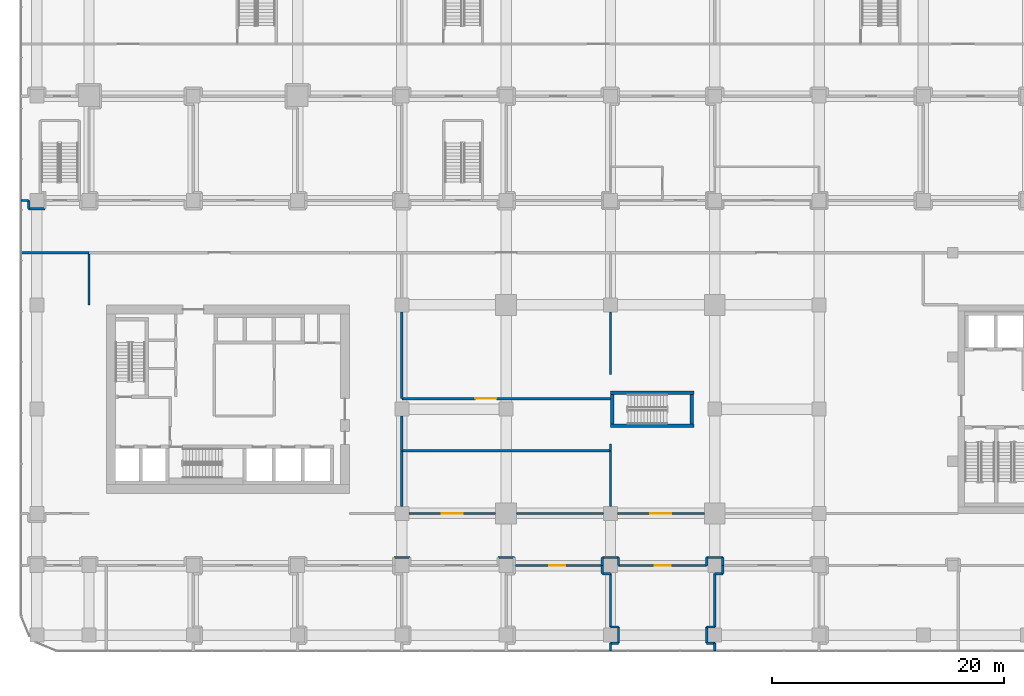
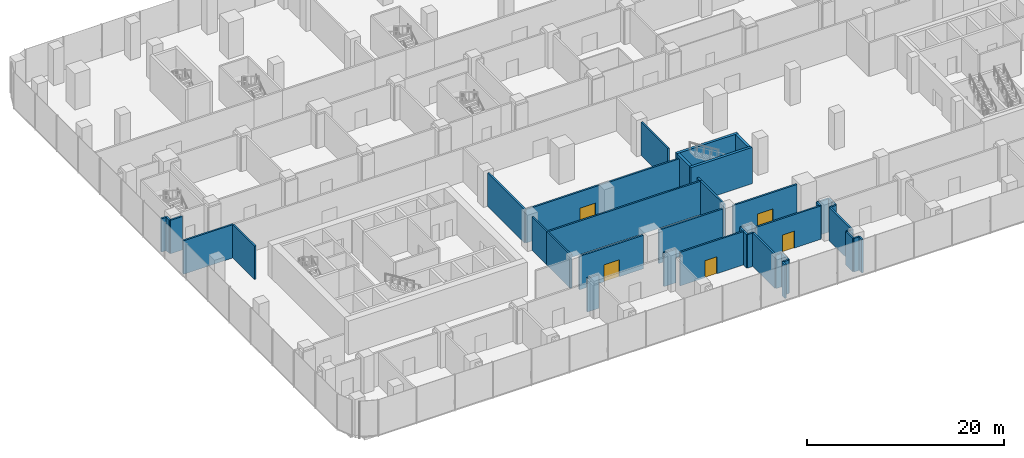
# One storey, part 30 of 43: 44 walls, 5 doors, 5 openings.
"""IFC4 building model written with IfcOpenShell, lengths in metres."""

from ifc_helpers import new_model, si_unit, direction, frame, frame_2d, origin, place, context, subcontext, project, spatial, rectangle, extrude, material, layer, layer_set, type_object, element, fill, save


model = new_model("IFC4")

# Units and contexts
model_context = context("Model", 3, precision=1e-05, world=origin(), true_north=direction((0.0, 1.0)))
body_context = subcontext(model_context, "Body", "Model", "MODEL_VIEW")
ifc_project = project(units=[si_unit("LENGTHUNIT", "METRE"), si_unit("AREAUNIT", "SQUARE_METRE"), si_unit("VOLUMEUNIT", "CUBIC_METRE"), si_unit("PLANEANGLEUNIT", "RADIAN"), si_unit("MASSUNIT", "GRAM", prefix="KILO")], contexts=[model_context])

# Site, building, storey
site_placement = place(None, origin())
site = spatial("IfcSite", under=ifc_project, at=site_placement, CompositionType="ELEMENT")
building_placement = place(site_placement, origin())
building = spatial("IfcBuilding", under=site, at=building_placement, Name="Plateau Cross Towers", CompositionType="ELEMENT")
storey_placement = place(building_placement, frame((0.0, 0.0, 17.300048828125)))
storey = spatial("IfcBuildingStorey", under=building, at=storey_placement, Name="L03", CompositionType="ELEMENT", Elevation=17.300048828125)

# Wall, opening, door
ifc_material_1 = material(Name="Gypsum board on steel studs", Category="steel")
ifc_layer_1 = layer(ifc_material_1, 0.199951171875)
ifc_layer_set_1 = layer_set([ifc_layer_1], Name="Gypsum board on steel studs")
wall_type_1 = type_object("IfcWallType", Name="Podium partition 200", PredefinedType="PARTITIONING", material=ifc_layer_set_1)
wall_1_placement = place(storey_placement, frame((45.60009765625, 0.0, 0.0), z_axis=(0.0, 0.0, 1.0), x_axis=(1.0, 0.0, 0.0)))
wall_1 = element("IfcWall", 1, at=wall_1_placement, inside=storey, type_object=wall_type_1, Name="Partition wall", PredefinedType="PARTITIONING", context=body_context, shape_type="SweptSolid", body=[
    extrude(rectangle(XDim=7.5, YDim=0.199951171875, at=frame_2d((3.75, 0.0))), origin(), (0.0, 0.0, 1.0), 4.14990234375),
])
opening_1_placement = place(wall_1_placement, frame((2.85009765625, 0.0, 0.0)))
opening_1 = element("IfcOpeningElement", 2, at=opening_1_placement, cuts=wall_1, Name="Opening 03-33", PredefinedType="OPENING", context=body_context, shape_type="SweptSolid", body=[
    extrude(rectangle(XDim=1.800048828125, YDim=2.10009765625, at=frame_2d((0.89990234375, 1.050048828125))), frame((0.0, 0.10986328125, 0.0), z_axis=(0.0, -1.0, 0.0), x_axis=(1.0, 0.0, 0.0)), (0.0, 0.0, 1.0), 0.219970703125),
])
ifc_material_2 = material(Name="Aluminium frame, toughened glass", Category="aluminium")
door_type_1 = type_object("IfcDoorType", Name="Podium door pair 1800", OperationType="NOTDEFINED", PredefinedType="DOOR", material=ifc_material_2)
door_1_placement = place(opening_1_placement, origin())
door_1 = element("IfcDoor", 3, at=door_1_placement, inside=storey, type_object=door_type_1, Name="Door 03-33", OperationType="DOUBLE_DOOR_SINGLE_SWING", OverallHeight=2.10009765625, OverallWidth=1.800048828125, PredefinedType="DOOR", context=body_context, shape_type="SweptSolid", body=[
    extrude(rectangle(XDim=1.800048828125, YDim=2.10009765625, at=frame_2d((0.89990234375, 1.050048828125))), frame((0.0, 0.02490234375, 0.0), z_axis=(0.0, -1.0, 0.0), x_axis=(1.0, 0.0, 0.0)), (0.0, 0.0, 1.0), 0.050048828125),
])
fill(opening_1, door_1)

wall_2_placement = place(storey_placement, frame((27.60009765625, 0.0, 0.0), z_axis=(0.0, 0.0, 1.0), x_axis=(1.0, 0.0, 0.0)))
wall_2 = element("IfcWall", 4, at=wall_2_placement, inside=storey, type_object=wall_type_1, Name="Partition wall", PredefinedType="PARTITIONING", context=body_context, shape_type="SweptSolid", body=[
    extrude(rectangle(XDim=7.5, YDim=0.199951171875, at=frame_2d((3.75, 0.0))), origin(), (0.0, 0.0, 1.0), 4.14990234375),
])
opening_2_placement = place(wall_2_placement, frame((2.85009765625, 0.0, 0.0)))
opening_2 = element("IfcOpeningElement", 5, at=opening_2_placement, cuts=wall_2, Name="Opening 03-43", PredefinedType="OPENING", context=body_context, shape_type="SweptSolid", body=[
    extrude(rectangle(XDim=1.800048828125, YDim=2.10009765625, at=frame_2d((0.89990234375, 1.050048828125))), frame((0.0, 0.10986328125, 0.0), z_axis=(0.0, -1.0, 0.0), x_axis=(1.0, 0.0, 0.0)), (0.0, 0.0, 1.0), 0.219970703125),
])
door_2_placement = place(opening_2_placement, origin())
door_2 = element("IfcDoor", 6, at=door_2_placement, inside=storey, type_object=door_type_1, Name="Door 03-43", OperationType="DOUBLE_DOOR_SINGLE_SWING", OverallHeight=2.10009765625, OverallWidth=1.800048828125, PredefinedType="DOOR", context=body_context, shape_type="SweptSolid", body=[
    extrude(rectangle(XDim=1.800048828125, YDim=2.10009765625, at=frame_2d((0.89990234375, 1.050048828125))), frame((0.0, 0.02490234375, 0.0), z_axis=(0.0, -1.0, 0.0), x_axis=(1.0, 0.0, 0.0)), (0.0, 0.0, 1.0), 0.050048828125),
])
fill(opening_2, door_2)

# Wall
wall_3_placement = place(storey_placement, frame((36.89990234375, 0.0, 0.0), z_axis=(0.0, 0.0, 1.0), x_axis=(1.0, 0.0, 0.0)))
element("IfcWall", 7, at=wall_3_placement, inside=storey, type_object=wall_type_1, Name="Partition wall", PredefinedType="PARTITIONING", context=body_context, shape_type="SweptSolid", body=[
    extrude(rectangle(XDim=7.5, YDim=0.199951171875, at=frame_2d((3.75, 0.0))), origin(), (0.0, 0.0, 1.0), 4.14990234375),
])

# Wall, opening, door
wall_4_placement = place(storey_placement, frame((27.0, 9.89990234375, 0.0), z_axis=(0.0, 0.0, 1.0), x_axis=(1.0, 0.0, 0.0)))
wall_4 = element("IfcWall", 8, at=wall_4_placement, inside=storey, type_object=wall_type_1, Name="Partition wall", PredefinedType="PARTITIONING", context=body_context, shape_type="SweptSolid", body=[
    extrude(rectangle(XDim=18.0, YDim=0.199951171875, at=frame_2d((9.0, 0.0))), origin(), (0.0, 0.0, 1.0), 4.14990234375),
])
opening_3_placement = place(wall_4_placement, frame((6.35009765625, 0.0, 0.0)))
opening_3 = element("IfcOpeningElement", 9, at=opening_3_placement, cuts=wall_4, Name="Opening 03-44", PredefinedType="OPENING", context=body_context, shape_type="SweptSolid", body=[
    extrude(rectangle(XDim=1.800048828125, YDim=2.10009765625, at=frame_2d((0.89990234375, 1.050048828125))), frame((0.0, 0.10986328125, 0.0), z_axis=(0.0, -1.0, 0.0), x_axis=(1.0, 0.0, 0.0)), (0.0, 0.0, 1.0), 0.219970703125),
])
door_3_placement = place(opening_3_placement, origin())
door_3 = element("IfcDoor", 10, at=door_3_placement, inside=storey, type_object=door_type_1, Name="Door 03-44", OperationType="DOUBLE_DOOR_SINGLE_SWING", OverallHeight=2.10009765625, OverallWidth=1.800048828125, PredefinedType="DOOR", context=body_context, shape_type="SweptSolid", body=[
    extrude(rectangle(XDim=1.800048828125, YDim=2.10009765625, at=frame_2d((0.89990234375, 1.050048828125))), frame((0.0, 0.02490234375, 0.0), z_axis=(0.0, -1.0, 0.0), x_axis=(1.0, 0.0, 0.0)), (0.0, 0.0, 1.0), 0.050048828125),
])
fill(opening_3, door_3)

# Walls
wall_5_placement = place(storey_placement, frame((45.0, 5.39990234375, 0.0), z_axis=(0.0, 0.0, 1.0), x_axis=(-1.0, 0.0, 0.0)))
element("IfcWall", 11, at=wall_5_placement, inside=storey, type_object=wall_type_1, Name="Partition wall", PredefinedType="PARTITIONING", context=body_context, shape_type="SweptSolid", body=[
    extrude(rectangle(XDim=18.0, YDim=0.199951171875, at=frame_2d((9.0, 0.0))), origin(), (0.0, 0.0, 1.0), 4.14990234375),
])
wall_6_placement = place(storey_placement, frame((54.699951171875, -4.5, 0.0), z_axis=(0.0, 0.0, 1.0), x_axis=(0.0, 1.0, 0.0)))
element("IfcWall", 12, at=wall_6_placement, inside=storey, type_object=wall_type_1, Name="Partition wall", PredefinedType="PARTITIONING", context=body_context, shape_type="SweptSolid", body=[
    extrude(rectangle(XDim=0.699951171875, YDim=0.199951171875, at=frame_2d((0.35009765625, 0.0))), origin(), (0.0, 0.0, 1.0), 4.14990234375),
])
wall_7_placement = place(storey_placement, frame((54.699951171875, -3.800048828125, 0.0), z_axis=(0.0, 0.0, 1.0), x_axis=(-1.0, 0.0, 0.0)))
element("IfcWall", 13, at=wall_7_placement, inside=storey, type_object=wall_type_1, Name="Partition wall", PredefinedType="PARTITIONING", context=body_context, shape_type="SweptSolid", body=[
    extrude(rectangle(XDim=1.39990234375, YDim=0.199951171875, at=frame_2d((0.699951171875, 0.0))), origin(), (0.0, 0.0, 1.0), 4.14990234375),
])
wall_8_placement = place(storey_placement, frame((53.300048828125, -3.800048828125, 0.0), z_axis=(0.0, 0.0, 1.0), x_axis=(0.0, -1.0, 0.0)))
element("IfcWall", 14, at=wall_8_placement, inside=storey, type_object=wall_type_1, Name="Partition wall", PredefinedType="PARTITIONING", context=body_context, shape_type="SweptSolid", body=[
    extrude(rectangle(XDim=0.699951171875, YDim=0.199951171875, at=frame_2d((0.35009765625, 0.0))), origin(), (0.0, 0.0, 1.0), 4.14990234375),
])

# Wall, opening, door
wall_9_placement = place(storey_placement, frame((53.300048828125, -4.5, 0.0), z_axis=(0.0, 0.0, 1.0), x_axis=(-1.0, 0.0, 0.0)))
wall_9 = element("IfcWall", 15, at=wall_9_placement, inside=storey, type_object=wall_type_1, Name="Partition wall", PredefinedType="PARTITIONING", context=body_context, shape_type="SweptSolid", body=[
    extrude(rectangle(XDim=7.60009765625, YDim=0.199951171875, at=frame_2d((3.800048828125, 0.0))), origin(), (0.0, 0.0, 1.0), 4.14990234375),
])
opening_4_placement = place(wall_9_placement, frame((3.10009765625, 0.0, 0.0)))
opening_4 = element("IfcOpeningElement", 16, at=opening_4_placement, cuts=wall_9, Name="Opening 03-13", PredefinedType="OPENING", context=body_context, shape_type="SweptSolid", body=[
    extrude(rectangle(XDim=1.39990234375, YDim=2.10009765625, at=frame_2d((0.699951171875, 1.050048828125))), frame((0.0, 0.10986328125, 0.0), z_axis=(0.0, -1.0, 0.0), x_axis=(1.0, 0.0, 0.0)), (0.0, 0.0, 1.0), 0.219970703125),
])
ifc_material_3 = material(Name="Timber, hospital grade leaf", Category="wood")
door_type_2 = type_object("IfcDoorType", Name="Clinic bed access door 1400x2100", OperationType="NOTDEFINED", PredefinedType="DOOR", material=ifc_material_3)
door_4_placement = place(opening_4_placement, origin())
door_4 = element("IfcDoor", 17, at=door_4_placement, inside=storey, type_object=door_type_2, Name="Door 03-13", OperationType="SINGLE_SWING_LEFT", OverallHeight=2.10009765625, OverallWidth=1.39990234375, PredefinedType="DOOR", context=body_context, shape_type="SweptSolid", body=[
    extrude(rectangle(XDim=1.39990234375, YDim=2.10009765625, at=frame_2d((0.699951171875, 1.050048828125))), frame((0.0, 0.02490234375, 0.0), z_axis=(0.0, -1.0, 0.0), x_axis=(1.0, 0.0, 0.0)), (0.0, 0.0, 1.0), 0.050048828125),
])
fill(opening_4, door_4)

# Walls
wall_10_placement = place(storey_placement, frame((45.699951171875, -4.5, 0.0), z_axis=(0.0, 0.0, 1.0), x_axis=(0.0, 1.0, 0.0)))
element("IfcWall", 18, at=wall_10_placement, inside=storey, type_object=wall_type_1, Name="Partition wall", PredefinedType="PARTITIONING", context=body_context, shape_type="SweptSolid", body=[
    extrude(rectangle(XDim=0.699951171875, YDim=0.199951171875, at=frame_2d((0.35009765625, 0.0))), origin(), (0.0, 0.0, 1.0), 4.14990234375),
])
wall_11_placement = place(storey_placement, frame((45.699951171875, -3.800048828125, 0.0), z_axis=(0.0, 0.0, 1.0), x_axis=(-1.0, 0.0, 0.0)))
element("IfcWall", 19, at=wall_11_placement, inside=storey, type_object=wall_type_1, Name="Partition wall", PredefinedType="PARTITIONING", context=body_context, shape_type="SweptSolid", body=[
    extrude(rectangle(XDim=1.39990234375, YDim=0.199951171875, at=frame_2d((0.699951171875, 0.0))), origin(), (0.0, 0.0, 1.0), 4.14990234375),
])
wall_12_placement = place(storey_placement, frame((44.300048828125, -3.800048828125, 0.0), z_axis=(0.0, 0.0, 1.0), x_axis=(0.0, -1.0, 0.0)))
element("IfcWall", 20, at=wall_12_placement, inside=storey, type_object=wall_type_1, Name="Partition wall", PredefinedType="PARTITIONING", context=body_context, shape_type="SweptSolid", body=[
    extrude(rectangle(XDim=0.699951171875, YDim=0.199951171875, at=frame_2d((0.35009765625, 0.0))), origin(), (0.0, 0.0, 1.0), 4.14990234375),
])
for number, where, z_axis, x_axis, name in (
    (21, (36.699951171875, -3.800048828125, 0.0), (0.0, 0.0, 1.0), (-1.0, 0.0, 0.0), "Partition wall"),
    (22, (27.699951171875, -3.800048828125, 0.0), (0.0, 0.0, 1.0), (-1.0, 0.0, 0.0), "Partition wall"),
):
    element("IfcWall", number, at=place(storey_placement, frame(where, z_axis=z_axis, x_axis=x_axis)), inside=storey, type_object=wall_type_1, Name=name, PredefinedType="PARTITIONING", context=body_context, shape_type="SweptSolid", body=[
        extrude(rectangle(XDim=1.39990234375, YDim=0.199951171875, at=frame_2d((0.699951171875, 0.0))), origin(), (0.0, 0.0, 1.0), 4.14990234375),
    ])
wall_13_placement = place(storey_placement, frame((27.0, 17.39990234375, 0.0), z_axis=(0.0, 0.0, 1.0), x_axis=(0.0, -1.0, 0.0)))
element("IfcWall", 23, at=wall_13_placement, inside=storey, type_object=wall_type_1, Name="Partition wall", PredefinedType="PARTITIONING", context=body_context, shape_type="SweptSolid", body=[
    extrude(rectangle(XDim=7.5, YDim=0.199951171875, at=frame_2d((3.75, 0.0))), origin(), (0.0, 0.0, 1.0), 4.14990234375),
])
wall_14_placement = place(storey_placement, frame((45.0, 17.39990234375, 0.0), z_axis=(0.0, 0.0, 1.0), x_axis=(0.0, -1.0, 0.0)))
element("IfcWall", 24, at=wall_14_placement, inside=storey, type_object=wall_type_1, Name="Partition wall", PredefinedType="PARTITIONING", context=body_context, shape_type="SweptSolid", body=[
    extrude(rectangle(XDim=5.39990234375, YDim=0.199951171875, at=frame_2d((2.699951171875, 0.0))), origin(), (0.0, 0.0, 1.0), 4.14990234375),
])
for number, where, z_axis, x_axis, name in (
    (25, (44.300048828125, -4.5, 0.0), (0.0, 0.0, 1.0), (0.0, -1.0, 0.0), "Partition wall"),
    (26, (44.300048828125, -5.199951171875, 0.0), (0.0, 0.0, 1.0), (1.0, 0.0, 0.0), "Partition wall"),
):
    element("IfcWall", number, at=place(storey_placement, frame(where, z_axis=z_axis, x_axis=x_axis)), inside=storey, type_object=wall_type_1, Name=name, PredefinedType="PARTITIONING", context=body_context, shape_type="SweptSolid", body=[
        extrude(rectangle(XDim=0.699951171875, YDim=0.199951171875, at=frame_2d((0.35009765625, 0.0))), origin(), (0.0, 0.0, 1.0), 4.14990234375),
    ])
wall_15_placement = place(storey_placement, frame((45.0, -5.199951171875, 0.0), z_axis=(0.0, 0.0, 1.0), x_axis=(0.0, -1.0, 0.0)))
element("IfcWall", 27, at=wall_15_placement, inside=storey, type_object=wall_type_1, Name="Partition wall", PredefinedType="PARTITIONING", context=body_context, shape_type="SweptSolid", body=[
    extrude(rectangle(XDim=4.60009765625, YDim=0.199951171875, at=frame_2d((2.300048828125, 0.0))), origin(), (0.0, 0.0, 1.0), 4.14990234375),
])
wall_16_placement = place(storey_placement, frame((45.0, -9.800048828125, 0.0), z_axis=(0.0, 0.0, 1.0), x_axis=(1.0, 0.0, 0.0)))
element("IfcWall", 28, at=wall_16_placement, inside=storey, type_object=wall_type_1, Name="Partition wall", PredefinedType="PARTITIONING", context=body_context, shape_type="SweptSolid", body=[
    extrude(rectangle(XDim=0.699951171875, YDim=0.199951171875, at=frame_2d((0.35009765625, 0.0))), origin(), (0.0, 0.0, 1.0), 4.14990234375),
])
wall_17_placement = place(storey_placement, frame((45.699951171875, -9.800048828125, 0.0), z_axis=(0.0, 0.0, 1.0), x_axis=(0.0, -1.0, 0.0)))
element("IfcWall", 29, at=wall_17_placement, inside=storey, type_object=wall_type_1, Name="Partition wall", PredefinedType="PARTITIONING", context=body_context, shape_type="SweptSolid", body=[
    extrude(rectangle(XDim=1.39990234375, YDim=0.199951171875, at=frame_2d((0.699951171875, 0.0))), origin(), (0.0, 0.0, 1.0), 4.14990234375),
])
wall_18_placement = place(storey_placement, frame((45.699951171875, -11.199951171875, 0.0), z_axis=(0.0, 0.0, 1.0), x_axis=(-1.0, 0.0, 0.0)))
element("IfcWall", 30, at=wall_18_placement, inside=storey, type_object=wall_type_1, Name="Partition wall", PredefinedType="PARTITIONING", context=body_context, shape_type="SweptSolid", body=[
    extrude(rectangle(XDim=0.699951171875, YDim=0.199951171875, at=frame_2d((0.35009765625, 0.0))), origin(), (0.0, 0.0, 1.0), 4.14990234375),
])
wall_19_placement = place(storey_placement, frame((45.0, -11.199951171875, 0.0), z_axis=(0.0, 0.0, 1.0), x_axis=(0.0, -1.0, 0.0)))
element("IfcWall", 31, at=wall_19_placement, inside=storey, type_object=wall_type_1, Name="Partition wall", PredefinedType="PARTITIONING", context=body_context, shape_type="SweptSolid", body=[
    extrude(rectangle(XDim=0.650146484375, YDim=0.199951171875, at=frame_2d((0.3251953125, 0.0))), origin(), (0.0, 0.0, 1.0), 4.14990234375),
])
for number, where, z_axis, x_axis, name in (
    (32, (54.699951171875, -4.5, 0.0), (0.0, 0.0, 1.0), (0.0, -1.0, 0.0), "Partition wall"),
    (33, (54.699951171875, -5.199951171875, 0.0), (0.0, 0.0, 1.0), (-1.0, 0.0, 0.0), "Partition wall"),
):
    element("IfcWall", number, at=place(storey_placement, frame(where, z_axis=z_axis, x_axis=x_axis)), inside=storey, type_object=wall_type_1, Name=name, PredefinedType="PARTITIONING", context=body_context, shape_type="SweptSolid", body=[
        extrude(rectangle(XDim=0.699951171875, YDim=0.199951171875, at=frame_2d((0.35009765625, 0.0))), origin(), (0.0, 0.0, 1.0), 4.14990234375),
    ])
wall_20_placement = place(storey_placement, frame((54.0, -5.199951171875, 0.0), z_axis=(0.0, 0.0, 1.0), x_axis=(0.0, -1.0, 0.0)))
element("IfcWall", 34, at=wall_20_placement, inside=storey, type_object=wall_type_1, Name="Partition wall", PredefinedType="PARTITIONING", context=body_context, shape_type="SweptSolid", body=[
    extrude(rectangle(XDim=4.60009765625, YDim=0.199951171875, at=frame_2d((2.300048828125, 0.0))), origin(), (0.0, 0.0, 1.0), 4.14990234375),
])
wall_21_placement = place(storey_placement, frame((54.0, -9.800048828125, 0.0), z_axis=(0.0, 0.0, 1.0), x_axis=(-1.0, 0.0, 0.0)))
element("IfcWall", 35, at=wall_21_placement, inside=storey, type_object=wall_type_1, Name="Partition wall", PredefinedType="PARTITIONING", context=body_context, shape_type="SweptSolid", body=[
    extrude(rectangle(XDim=0.699951171875, YDim=0.199951171875, at=frame_2d((0.35009765625, 0.0))), origin(), (0.0, 0.0, 1.0), 4.14990234375),
])
wall_22_placement = place(storey_placement, frame((53.300048828125, -9.800048828125, 0.0), z_axis=(0.0, 0.0, 1.0), x_axis=(0.0, -1.0, 0.0)))
element("IfcWall", 36, at=wall_22_placement, inside=storey, type_object=wall_type_1, Name="Partition wall", PredefinedType="PARTITIONING", context=body_context, shape_type="SweptSolid", body=[
    extrude(rectangle(XDim=1.39990234375, YDim=0.199951171875, at=frame_2d((0.699951171875, 0.0))), origin(), (0.0, 0.0, 1.0), 4.14990234375),
])
wall_23_placement = place(storey_placement, frame((53.300048828125, -11.199951171875, 0.0), z_axis=(0.0, 0.0, 1.0), x_axis=(1.0, 0.0, 0.0)))
element("IfcWall", 37, at=wall_23_placement, inside=storey, type_object=wall_type_1, Name="Partition wall", PredefinedType="PARTITIONING", context=body_context, shape_type="SweptSolid", body=[
    extrude(rectangle(XDim=0.699951171875, YDim=0.199951171875, at=frame_2d((0.35009765625, 0.0))), origin(), (0.0, 0.0, 1.0), 4.14990234375),
])
wall_24_placement = place(storey_placement, frame((54.0, -11.199951171875, 0.0), z_axis=(0.0, 0.0, 1.0), x_axis=(0.0, -1.0, 0.0)))
element("IfcWall", 38, at=wall_24_placement, inside=storey, type_object=wall_type_1, Name="Partition wall", PredefinedType="PARTITIONING", context=body_context, shape_type="SweptSolid", body=[
    extrude(rectangle(XDim=0.650146484375, YDim=0.199951171875, at=frame_2d((0.3251953125, 0.0))), origin(), (0.0, 0.0, 1.0), 4.14990234375),
])

# Wall, opening, door
wall_25_placement = place(storey_placement, frame((44.199951171875, -4.5, 0.0), z_axis=(0.0, 0.0, 1.0), x_axis=(-1.0, 0.0, 0.0)))
wall_25 = element("IfcWall", 39, at=wall_25_placement, inside=storey, type_object=wall_type_1, Name="Partition wall", PredefinedType="PARTITIONING", context=body_context, shape_type="SweptSolid", body=[
    extrude(rectangle(XDim=7.39990234375, YDim=0.199951171875, at=frame_2d((3.699951171875, 0.0))), origin(), (0.0, 0.0, 1.0), 4.14990234375),
])
opening_5_placement = place(wall_25_placement, frame((3.10009765625, 0.0, 0.0)))
opening_5 = element("IfcOpeningElement", 40, at=opening_5_placement, cuts=wall_25, Name="Opening 03-12", PredefinedType="OPENING", context=body_context, shape_type="SweptSolid", body=[
    extrude(rectangle(XDim=1.39990234375, YDim=2.10009765625, at=frame_2d((0.699951171875, 1.050048828125))), frame((0.0, 0.10986328125, 0.0), z_axis=(0.0, -1.0, 0.0), x_axis=(1.0, 0.0, 0.0)), (0.0, 0.0, 1.0), 0.219970703125),
])
door_5_placement = place(opening_5_placement, origin())
door_5 = element("IfcDoor", 41, at=door_5_placement, inside=storey, type_object=door_type_2, Name="Door 03-12", OperationType="SINGLE_SWING_LEFT", OverallHeight=2.10009765625, OverallWidth=1.39990234375, PredefinedType="DOOR", context=body_context, shape_type="SweptSolid", body=[
    extrude(rectangle(XDim=1.39990234375, YDim=2.10009765625, at=frame_2d((0.699951171875, 1.050048828125))), frame((0.0, 0.02490234375, 0.0), z_axis=(0.0, -1.0, 0.0), x_axis=(1.0, 0.0, 0.0)), (0.0, 0.0, 1.0), 0.050048828125),
])
fill(opening_5, door_5)

# Walls
wall_26_placement = place(storey_placement, frame((0.0, 22.5, 0.0), z_axis=(0.0, 0.0, 1.0), x_axis=(-1.0, 0.0, 0.0)))
element("IfcWall", 42, at=wall_26_placement, inside=storey, type_object=wall_type_1, Name="Partition wall", PredefinedType="PARTITIONING", context=body_context, shape_type="SweptSolid", body=[
    extrude(rectangle(XDim=5.85009765625, YDim=0.199951171875, at=frame_2d((2.925048828125, 0.0))), origin(), (0.0, 0.0, 1.0), 4.14990234375),
])
for number, where, z_axis, x_axis, name in (
    (43, (27.0, 5.39990234375, 0.0), (0.0, 0.0, 1.0), (0.0, -1.0, 0.0), "Partition wall"),
    (44, (45.0, 5.39990234375, 0.0), (0.0, 0.0, 1.0), (0.0, -1.0, 0.0), "Partition wall"),
):
    element("IfcWall", number, at=place(storey_placement, frame(where, z_axis=z_axis, x_axis=x_axis)), inside=storey, type_object=wall_type_1, Name=name, PredefinedType="PARTITIONING", context=body_context, shape_type="SweptSolid", body=[
        extrude(rectangle(XDim=4.7998046875, YDim=0.199951171875, at=frame_2d((2.39990234375, 0.0))), origin(), (0.0, 0.0, 1.0), 4.14990234375),
    ])
wall_27_placement = place(storey_placement, frame((27.0, 8.39990234375, 0.0), z_axis=(0.0, 0.0, 1.0), x_axis=(0.0, -1.0, 0.0)))
element("IfcWall", 45, at=wall_27_placement, inside=storey, type_object=wall_type_1, Name="Partition wall", PredefinedType="PARTITIONING", context=body_context, shape_type="SweptSolid", body=[
    extrude(rectangle(XDim=3.0, YDim=0.199951171875, at=frame_2d((1.5, 0.0))), origin(), (0.0, 0.0, 1.0), 4.14990234375),
])
wall_28_placement = place(storey_placement, frame((0.0, 18.0, 0.0), z_axis=(0.0, 0.0, 1.0), x_axis=(0.0, 1.0, 0.0)))
element("IfcWall", 46, at=wall_28_placement, inside=storey, type_object=wall_type_1, Name="Partition wall", PredefinedType="PARTITIONING", context=body_context, shape_type="SweptSolid", body=[
    extrude(rectangle(XDim=4.39990234375, YDim=0.199951171875, at=frame_2d((2.199951171875, 0.0))), origin(), (0.0, 0.0, 1.0), 4.14990234375),
])
wall_29_placement = place(storey_placement, frame((-5.85009765625, 27.0, 0.0), z_axis=(0.0, 0.0, 1.0), x_axis=(1.0, 0.0, 0.0)))
element("IfcWall", 47, at=wall_29_placement, inside=storey, type_object=wall_type_1, Name="Partition wall", PredefinedType="PARTITIONING", context=body_context, shape_type="SweptSolid", body=[
    extrude(rectangle(XDim=0.650146484375, YDim=0.199951171875, at=frame_2d((0.3251953125, 0.0))), origin(), (0.0, 0.0, 1.0), 4.14990234375),
])
wall_30_placement = place(storey_placement, frame((-5.199951171875, 27.0, 0.0), z_axis=(0.0, 0.0, 1.0), x_axis=(0.0, -1.0, 0.0)))
element("IfcWall", 48, at=wall_30_placement, inside=storey, type_object=wall_type_1, Name="Partition wall", PredefinedType="PARTITIONING", context=body_context, shape_type="SweptSolid", body=[
    extrude(rectangle(XDim=0.699951171875, YDim=0.199951171875, at=frame_2d((0.35009765625, 0.0))), origin(), (0.0, 0.0, 1.0), 4.14990234375),
])
wall_31_placement = place(storey_placement, frame((-5.199951171875, 26.300048828125, 0.0), z_axis=(0.0, 0.0, 1.0), x_axis=(1.0, 0.0, 0.0)))
element("IfcWall", 49, at=wall_31_placement, inside=storey, type_object=wall_type_1, Name="Partition wall", PredefinedType="PARTITIONING", context=body_context, shape_type="SweptSolid", body=[
    extrude(rectangle(XDim=1.39990234375, YDim=0.199951171875, at=frame_2d((0.699951171875, 0.0))), origin(), (0.0, 0.0, 1.0), 4.14990234375),
])
wall_32_placement = place(storey_placement, frame((45.0, 6.0, 0.0), z_axis=(0.0, 0.0, 1.0), x_axis=(0.0, -1.0, 0.0)))
element("IfcWall", 50, at=wall_32_placement, inside=storey, type_object=wall_type_1, Name="Partition wall", PredefinedType="PARTITIONING", context=body_context, shape_type="SweptSolid", body=[
    extrude(rectangle(XDim=0.60009765625, YDim=0.199951171875, at=frame_2d((0.300048828125, 0.0))), origin(), (0.0, 0.0, 1.0), 4.14990234375),
])
ifc_material_4 = material(Name="Concrete C60/75", Category="concrete")
ifc_layer_2 = layer(ifc_material_4, 0.300048828125)
ifc_layer_set_2 = layer_set([ifc_layer_2], Name="Concrete C60/75")
wall_type_2 = type_object("IfcWallType", Name="Stair tower wall 300", PredefinedType="SHEAR", material=ifc_layer_set_2)
for number, where, z_axis, x_axis, name in (
    (51, (45.14990234375, 7.72509765625, 0.0), (0.0, 0.0, 1.0), (0.0, 1.0, 0.0), "A-end-E-W@L03"),
    (52, (52.0, 7.72509765625, 0.0), (0.0, 0.0, 1.0), (0.0, 1.0, 0.0), "A-end-E-E@L03"),
):
    element("IfcWall", number, at=place(storey_placement, frame(where, z_axis=z_axis, x_axis=x_axis)), inside=storey, type_object=wall_type_2, Name=name, PredefinedType="SHEAR", context=body_context, shape_type="SweptSolid", body=[
        extrude(rectangle(XDim=2.5498046875, YDim=0.300048828125, at=frame_2d((1.27490234375, 0.0))), origin(), (0.0, 0.0, 1.0), 4.5),
    ])
for number, where, z_axis, x_axis, name in (
    (53, (45.0, 7.574951171875, 0.0), (0.0, 0.0, 1.0), (1.0, 0.0, 0.0), "A-end-E-S@L03"),
    (54, (45.0, 10.425048828125, 0.0), (0.0, 0.0, 1.0), (1.0, 0.0, 0.0), "A-end-E-N@L03"),
):
    element("IfcWall", number, at=place(storey_placement, frame(where, z_axis=z_axis, x_axis=x_axis)), inside=storey, type_object=wall_type_2, Name=name, PredefinedType="SHEAR", context=body_context, shape_type="SweptSolid", body=[
        extrude(rectangle(XDim=7.199951171875, YDim=0.300048828125, at=frame_2d((3.60009765625, 0.0))), origin(), (0.0, 0.0, 1.0), 4.5),
    ])

save(model, "model.ifc")
